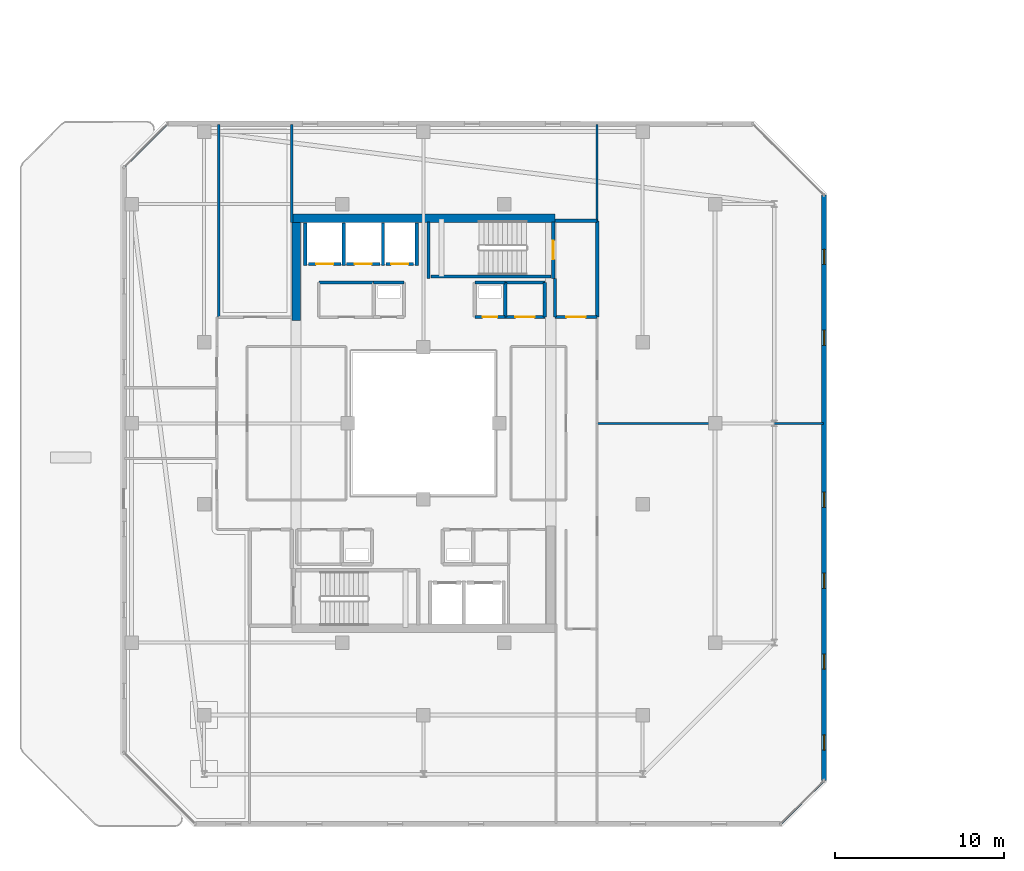
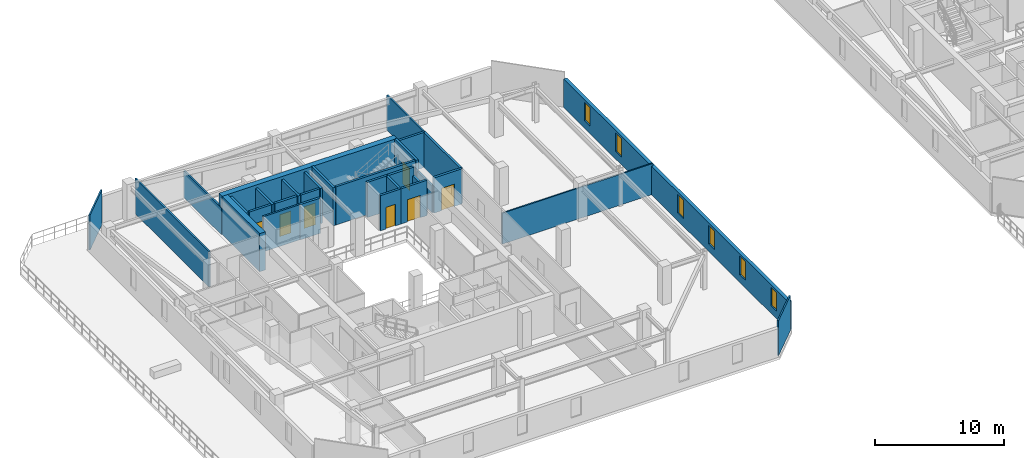
# One storey, part 20 of 31: 31 walls, 7 doors, 6 windows, 13 openings.
"""IFC4 building model written with IfcOpenShell, lengths in metres."""

from ifc_helpers import new_model, si_unit, direction, frame, frame_2d, origin, place, context, subcontext, project, spatial, rectangle, extrude, material, layer, layer_set, type_object, element, fill, save


model = new_model("IFC4")

# Units and contexts
model_context = context("Model", 3, precision=1e-05, world=origin(), true_north=direction((0.0, 1.0)))
body_context = subcontext(model_context, "Body", "Model", "MODEL_VIEW")
ifc_project = project(units=[si_unit("LENGTHUNIT", "METRE"), si_unit("AREAUNIT", "SQUARE_METRE"), si_unit("VOLUMEUNIT", "CUBIC_METRE"), si_unit("PLANEANGLEUNIT", "RADIAN"), si_unit("MASSUNIT", "GRAM", prefix="KILO")], contexts=[model_context])

# Site, building, storey
site_placement = place(None, origin())
site = spatial("IfcSite", under=ifc_project, at=site_placement, CompositionType="ELEMENT")
building_placement = place(site_placement, origin())
building = spatial("IfcBuilding", under=site, at=building_placement, Name="Thornwick Lancets Civic Towers", CompositionType="ELEMENT")
storey_placement = place(building_placement, frame((0.0, 0.0, 254.699951171875)))
storey = spatial("IfcBuildingStorey", under=building, at=storey_placement, Name="L68", CompositionType="ELEMENT", Elevation=254.699951171875)

# Wall, opening, door
ifc_material_1 = material(Name="Concrete blockwork C40/50", Category="masonry")
ifc_layer_1 = layer(ifc_material_1, 0.199951171875, Name="Concrete blockwork C40/50")
ifc_layer_set_1 = layer_set([ifc_layer_1], Name="Concrete blockwork C40/50")
wall_type_1 = type_object("IfcWallType", Name="WALL_COMP_200", PredefinedType="STANDARD", material=ifc_layer_set_1)
wall_1_placement = place(storey_placement, frame((24.919921875, 36.449951171875, 0.0), z_axis=(0.0, 0.0, 1.0), x_axis=(-1.0, 0.0, 0.0)))
wall_1 = element("IfcWall", 1, at=wall_1_placement, inside=storey, type_object=wall_type_1, Name="L68 Hoistway Front Wall FL-A2", PredefinedType="STANDARD", context=body_context, shape_type="SweptSolid", body=[
    extrude(rectangle(XDim=1.639892578125, YDim=0.199951171875, at=frame_2d((0.81982421875, 0.0))), origin(), (0.0, 0.0, 1.0), 3.320068359375),
])
opening_1_placement = place(wall_1_placement, frame((0.31005859375, 0.0, 0.0)))
opening_1 = element("IfcOpeningElement", 2, at=opening_1_placement, cuts=wall_1, Name="Opening LD-FL-A2", PredefinedType="OPENING", context=body_context, shape_type="SweptSolid", body=[
    extrude(rectangle(XDim=1.02001953125, YDim=2.06005859375, at=frame_2d((0.510009765625, 1.030029296875))), frame((0.0, 0.10986328125, 0.0), z_axis=(0.0, -1.0, 0.0), x_axis=(1.0, 0.0, 0.0)), (0.0, 0.0, 1.0), 0.219970703125),
])
ifc_material_2 = material(Name="Brushed bronze stainless steel", Category="steel")
door_type_1 = type_object("IfcDoorType", Name="DOOR_LIFT_SLIDE", OperationType="SLIDING_TO_LEFT", PredefinedType="DOOR", material=ifc_material_2)
door_1_placement = place(opening_1_placement, origin())
door_1 = element("IfcDoor", 3, at=door_1_placement, inside=storey, type_object=door_type_1, Name="L68 Sliding Lift Landing Door LD-FL-A2", OperationType="SLIDING_TO_LEFT", OverallHeight=2.06005859375, OverallWidth=1.02001953125, PredefinedType="DOOR", context=body_context, shape_type="SweptSolid", body=[
    extrude(rectangle(XDim=1.02001953125, YDim=2.06005859375, at=frame_2d((0.510009765625, 1.030029296875))), frame((0.0, 0.02490234375, 0.0), z_axis=(0.0, -1.0, 0.0), x_axis=(1.0, 0.0, 0.0)), (0.0, 0.0, 1.0), 0.050048828125),
])
fill(opening_1, door_1)

wall_2_placement = place(storey_placement, frame((22.919921875, 36.449951171875, 0.0), z_axis=(0.0, 0.0, 1.0), x_axis=(-1.0, 0.0, 0.0)))
wall_2 = element("IfcWall", 4, at=wall_2_placement, inside=storey, type_object=wall_type_1, Name="L68 Hoistway Front Wall PL-AH2", PredefinedType="STANDARD", context=body_context, shape_type="SweptSolid", body=[
    extrude(rectangle(XDim=1.989990234375, YDim=0.199951171875, at=frame_2d((0.9951171875, 0.0))), origin(), (0.0, 0.0, 1.0), 3.320068359375),
])
opening_2_placement = place(wall_2_placement, frame((0.485107421875, 0.0, 0.0)))
opening_2 = element("IfcOpeningElement", 5, at=opening_2_placement, cuts=wall_2, Name="Opening LD-PL-AH2", PredefinedType="OPENING", context=body_context, shape_type="SweptSolid", body=[
    extrude(rectangle(XDim=1.02001953125, YDim=2.06005859375, at=frame_2d((0.510009765625, 1.030029296875))), frame((0.0, 0.10986328125, 0.0), z_axis=(0.0, -1.0, 0.0), x_axis=(1.0, 0.0, 0.0)), (0.0, 0.0, 1.0), 0.219970703125),
])
door_2_placement = place(opening_2_placement, origin())
door_2 = element("IfcDoor", 6, at=door_2_placement, inside=storey, type_object=door_type_1, Name="L68 Sliding Lift Landing Door LD-PL-AH2", OperationType="SLIDING_TO_LEFT", OverallHeight=2.06005859375, OverallWidth=1.02001953125, PredefinedType="DOOR", context=body_context, shape_type="SweptSolid", body=[
    extrude(rectangle(XDim=1.02001953125, YDim=2.06005859375, at=frame_2d((0.510009765625, 1.030029296875))), frame((0.0, 0.02490234375, 0.0), z_axis=(0.0, -1.0, 0.0), x_axis=(1.0, 0.0, 0.0)), (0.0, 0.0, 1.0), 0.050048828125),
])
fill(opening_2, door_2)

wall_3_placement = place(storey_placement, frame((20.6201171875, 36.449951171875, 0.0), z_axis=(0.0, 0.0, 1.0), x_axis=(-1.0, 0.0, 0.0)))
wall_3 = element("IfcWall", 7, at=wall_3_placement, inside=storey, type_object=wall_type_1, Name="L68 Hoistway Front Wall PL-AH3", PredefinedType="STANDARD", context=body_context, shape_type="SweptSolid", body=[
    extrude(rectangle(XDim=1.940185546875, YDim=0.199951171875, at=frame_2d((0.97021484375, 0.0))), origin(), (0.0, 0.0, 1.0), 3.320068359375),
])
opening_3_placement = place(wall_3_placement, frame((0.4599609375, 0.0, 0.0)))
opening_3 = element("IfcOpeningElement", 8, at=opening_3_placement, cuts=wall_3, Name="Opening LD-PL-AH3", PredefinedType="OPENING", context=body_context, shape_type="SweptSolid", body=[
    extrude(rectangle(XDim=1.02001953125, YDim=2.06005859375, at=frame_2d((0.510009765625, 1.030029296875))), frame((0.0, 0.10986328125, 0.0), z_axis=(0.0, -1.0, 0.0), x_axis=(1.0, 0.0, 0.0)), (0.0, 0.0, 1.0), 0.219970703125),
])
door_3_placement = place(opening_3_placement, origin())
door_3 = element("IfcDoor", 9, at=door_3_placement, inside=storey, type_object=door_type_1, Name="L68 Sliding Lift Landing Door LD-PL-AH3", OperationType="SLIDING_TO_LEFT", OverallHeight=2.06005859375, OverallWidth=1.02001953125, PredefinedType="DOOR", context=body_context, shape_type="SweptSolid", body=[
    extrude(rectangle(XDim=1.02001953125, YDim=2.06005859375, at=frame_2d((0.510009765625, 1.030029296875))), frame((0.0, 0.02490234375, 0.0), z_axis=(0.0, -1.0, 0.0), x_axis=(1.0, 0.0, 0.0)), (0.0, 0.0, 1.0), 0.050048828125),
])
fill(opening_3, door_3)

# Walls
for number, where, z_axis, x_axis, name in (
    (10, (25.10009765625, 36.35205078125, 0.0), (0.0, 0.0, 1.0), (0.0, 1.0, 0.0), "L68 Hoistway Shaft Wall FL-A2 E"),
    (11, (23.10009765625, 36.35205078125, 0.0), (0.0, 0.0, 1.0), (0.0, 1.0, 0.0), "L68 Hoistway Shaft Wall FL-A2 W"),
    (12, (20.77490234375, 36.35205078125, 0.0), (0.0, 0.0, 1.0), (0.0, 1.0, 0.0), "L68 Hoistway Shaft Wall PL-AH2 W"),
    (13, (18.5, 36.35205078125, 0.0), (0.0, 0.0, 1.0), (0.0, 1.0, 0.0), "L68 Hoistway Shaft Wall PL-AH3 W"),
):
    element("IfcWall", number, at=place(storey_placement, frame(where, z_axis=z_axis, x_axis=x_axis)), inside=storey, type_object=wall_type_1, Name=name, PredefinedType="STANDARD", context=body_context, shape_type="SweptSolid", body=[
        extrude(rectangle(XDim=2.535888671875, YDim=0.199951171875, at=frame_2d((1.26806640625, 0.0))), origin(), (0.0, 0.0, 1.0), 3.320068359375),
    ])

# Wall, opening, door
wall_4_placement = place(storey_placement, frame((33.300048828125, 33.300048828125, 0.0), z_axis=(0.0, 0.0, 1.0), x_axis=(1.0, 0.0, 0.0)))
wall_4 = element("IfcWall", 14, at=wall_4_placement, inside=storey, type_object=wall_type_1, Name="L68 Partition L68-A-FFLOB2 E1", PredefinedType="STANDARD", context=body_context, shape_type="SweptSolid", body=[
    extrude(rectangle(XDim=2.5, YDim=0.199951171875, at=frame_2d((1.25, 0.0))), origin(), (0.0, 0.0, 1.0), 3.320068359375),
])
opening_4_placement = place(wall_4_placement, frame((0.675048828125, 0.0, 0.0)))
opening_4 = element("IfcOpeningElement", 15, at=opening_4_placement, cuts=wall_4, Name="Opening D-L68-3092", PredefinedType="OPENING", context=body_context, shape_type="SweptSolid", body=[
    extrude(rectangle(XDim=1.14990234375, YDim=2.10009765625, at=frame_2d((0.574951171875, 1.050048828125))), frame((0.0, 0.10986328125, 0.0), z_axis=(0.0, -1.0, 0.0), x_axis=(1.0, 0.0, 0.0)), (0.0, 0.0, 1.0), 0.219970703125),
])
ifc_material_3 = material(Name="Glazed fire-resisting steel", Category="steel")
door_type_2 = type_object("IfcDoorType", Name="DOOR_LOBBY_FD60", OperationType="NOTDEFINED", PredefinedType="DOOR", material=ifc_material_3)
door_4_placement = place(opening_4_placement, origin())
door_4 = element("IfcDoor", 16, at=door_4_placement, inside=storey, type_object=door_type_2, Name="L68 North Firefighting Lobby 2 Door", OperationType="SINGLE_SWING_LEFT", OverallHeight=2.10009765625, OverallWidth=1.14990234375, PredefinedType="DOOR", context=body_context, shape_type="SweptSolid", body=[
    extrude(rectangle(XDim=1.14990234375, YDim=2.10009765625, at=frame_2d((0.574951171875, 1.050048828125))), frame((0.0, 0.02490234375, 0.0), z_axis=(0.0, -1.0, 0.0), x_axis=(1.0, 0.0, 0.0)), (0.0, 0.0, 1.0), 0.050048828125),
])
fill(opening_4, door_4)

# Walls
wall_5_placement = place(storey_placement, frame((35.800048828125, 33.300048828125, 0.0), z_axis=(0.0, 0.0, 1.0), x_axis=(0.0, 1.0, 0.0)))
element("IfcWall", 17, at=wall_5_placement, inside=storey, type_object=wall_type_1, Name="L68 Partition L68-A-FFLOB2 E2", PredefinedType="STANDARD", context=body_context, shape_type="SweptSolid", body=[
    extrude(rectangle(XDim=5.699951171875, YDim=0.199951171875, at=frame_2d((2.85009765625, 0.0))), origin(), (0.0, 0.0, 1.0), 3.320068359375),
])
wall_6_placement = place(storey_placement, frame((35.800048828125, 39.0, 0.0), z_axis=(0.0, 0.0, 1.0), x_axis=(-1.0, 0.0, 0.0)))
element("IfcWall", 18, at=wall_6_placement, inside=storey, type_object=wall_type_1, Name="L68 Partition L68-A-FFLOB2 E3", PredefinedType="STANDARD", context=body_context, shape_type="SweptSolid", body=[
    extrude(rectangle(XDim=2.5, YDim=0.199951171875, at=frame_2d((1.25, 0.0))), origin(), (0.0, 0.0, 1.0), 3.320068359375),
])
wall_7_placement = place(storey_placement, frame((33.300048828125, 35.60009765625, 0.0), z_axis=(0.0, 0.0, 1.0), x_axis=(0.0, -1.0, 0.0)))
element("IfcWall", 19, at=wall_7_placement, inside=storey, type_object=wall_type_1, Name="L68 Partition L68-A-FFLOB2 E4", PredefinedType="STANDARD", context=body_context, shape_type="SweptSolid", body=[
    extrude(rectangle(XDim=2.300048828125, YDim=0.199951171875, at=frame_2d((1.14990234375, 0.0))), origin(), (0.0, 0.0, 1.0), 2.525146484375),
])
wall_8_placement = place(storey_placement, frame((24.35009765625, 35.35009765625, 0.0), z_axis=(0.0, 0.0, 1.0), x_axis=(-1.0, 0.0, 0.0)))
element("IfcWall", 20, at=wall_8_placement, inside=storey, type_object=wall_type_1, Name="L68 Partition L68-A-DUCT2 E3", PredefinedType="STANDARD", context=body_context, shape_type="SweptSolid", body=[
    extrude(rectangle(XDim=1.800048828125, YDim=0.199951171875, at=frame_2d((0.89990234375, 0.0))), origin(), (0.0, 0.0, 1.0), 3.320068359375),
])

# Wall, opening, door
wall_9_placement = place(storey_placement, frame((28.550048828125, 33.300048828125, 0.0), z_axis=(0.0, 0.0, 1.0), x_axis=(1.0, 0.0, 0.0)))
wall_9 = element("IfcWall", 21, at=wall_9_placement, inside=storey, type_object=wall_type_1, Name="L68 Partition L68-A-RISER2 E1", PredefinedType="STANDARD", context=body_context, shape_type="SweptSolid", body=[
    extrude(rectangle(XDim=1.800048828125, YDim=0.199951171875, at=frame_2d((0.89990234375, 0.0))), origin(), (0.0, 0.0, 1.0), 3.320068359375),
])
opening_5_placement = place(wall_9_placement, frame((0.4599609375, 0.0, 0.0)))
opening_5 = element("IfcOpeningElement", 22, at=opening_5_placement, cuts=wall_9, Name="Opening D-L68-3096", PredefinedType="OPENING", context=body_context, shape_type="SweptSolid", body=[
    extrude(rectangle(XDim=0.8798828125, YDim=2.0400390625, at=frame_2d((0.43994140625, 1.02001953125))), frame((0.0, 0.10986328125, 0.0), z_axis=(0.0, -1.0, 0.0), x_axis=(1.0, 0.0, 0.0)), (0.0, 0.0, 1.0), 0.219970703125),
])
ifc_material_4 = material(Name="Steel riser access doorset", Category="steel")
door_type_3 = type_object("IfcDoorType", Name="DOOR_RISER_850", OperationType="NOTDEFINED", PredefinedType="DOOR", material=ifc_material_4)
door_5_placement = place(opening_5_placement, origin())
door_5 = element("IfcDoor", 23, at=door_5_placement, inside=storey, type_object=door_type_3, Name="L68 North Service Riser 2 Door", OperationType="SINGLE_SWING_LEFT", OverallHeight=2.0400390625, OverallWidth=0.8798828125, PredefinedType="DOOR", context=body_context, shape_type="SweptSolid", body=[
    extrude(rectangle(XDim=0.8798828125, YDim=2.0400390625, at=frame_2d((0.43994140625, 1.02001953125))), frame((0.0, 0.02490234375, 0.0), z_axis=(0.0, -1.0, 0.0), x_axis=(1.0, 0.0, 0.0)), (0.0, 0.0, 1.0), 0.050048828125),
])
fill(opening_5, door_5)

# Walls
wall_10_placement = place(storey_placement, frame((30.35009765625, 33.300048828125, 0.0), z_axis=(0.0, 0.0, 1.0), x_axis=(0.0, 1.0, 0.0)))
element("IfcWall", 24, at=wall_10_placement, inside=storey, type_object=wall_type_1, Name="L68 Partition L68-A-RISER2 E2", PredefinedType="STANDARD", context=body_context, shape_type="SweptSolid", body=[
    extrude(rectangle(XDim=2.050048828125, YDim=0.199951171875, at=frame_2d((1.02490234375, 0.0))), origin(), (0.0, 0.0, 1.0), 3.320068359375),
])
wall_11_placement = place(storey_placement, frame((30.35009765625, 35.35009765625, 0.0), z_axis=(0.0, 0.0, 1.0), x_axis=(-1.0, 0.0, 0.0)))
element("IfcWall", 25, at=wall_11_placement, inside=storey, type_object=wall_type_1, Name="L68 Partition L68-A-RISER2 E3", PredefinedType="STANDARD", context=body_context, shape_type="SweptSolid", body=[
    extrude(rectangle(XDim=1.800048828125, YDim=0.199951171875, at=frame_2d((0.89990234375, 0.0))), origin(), (0.0, 0.0, 1.0), 3.320068359375),
])
wall_12_placement = place(storey_placement, frame((32.699951171875, 35.35009765625, 0.0), z_axis=(0.0, 0.0, 1.0), x_axis=(0.0, -1.0, 0.0)))
element("IfcWall", 26, at=wall_12_placement, inside=storey, type_object=wall_type_1, Name="L68 Partition L68-A-STR E1", PredefinedType="STANDARD", context=body_context, shape_type="SweptSolid", body=[
    extrude(rectangle(XDim=2.050048828125, YDim=0.199951171875, at=frame_2d((1.02490234375, 0.0))), origin(), (0.0, 0.0, 1.0), 2.525146484375),
])

# Wall, opening, door
wall_13_placement = place(storey_placement, frame((32.699951171875, 33.300048828125, 0.0), z_axis=(0.0, 0.0, 1.0), x_axis=(-1.0, 0.0, 0.0)))
wall_13 = element("IfcWall", 27, at=wall_13_placement, inside=storey, type_object=wall_type_1, Name="L68 Partition L68-A-STR E2", PredefinedType="STANDARD", context=body_context, shape_type="SweptSolid", body=[
    extrude(rectangle(XDim=2.349853515625, YDim=0.199951171875, at=frame_2d((1.1748046875, 0.0))), origin(), (0.0, 0.0, 1.0), 3.320068359375),
])
opening_6_placement = place(wall_13_placement, frame((0.60009765625, 0.0, 0.0)))
opening_6 = element("IfcOpeningElement", 28, at=opening_6_placement, cuts=wall_13, Name="Opening D-L68-3101", PredefinedType="OPENING", context=body_context, shape_type="SweptSolid", body=[
    extrude(rectangle(XDim=1.14990234375, YDim=2.10009765625, at=frame_2d((0.574951171875, 1.050048828125))), frame((0.0, 0.10986328125, 0.0), z_axis=(0.0, -1.0, 0.0), x_axis=(1.0, 0.0, 0.0)), (0.0, 0.0, 1.0), 0.219970703125),
])
door_6_placement = place(opening_6_placement, origin())
door_6 = element("IfcDoor", 29, at=door_6_placement, inside=storey, type_object=door_type_2, Name="L68 Tower A Core Equipment Store Door", OperationType="SINGLE_SWING_RIGHT", OverallHeight=2.10009765625, OverallWidth=1.14990234375, PredefinedType="DOOR", context=body_context, shape_type="SweptSolid", body=[
    extrude(rectangle(XDim=1.14990234375, YDim=2.10009765625, at=frame_2d((0.574951171875, 1.050048828125))), frame((0.0, 0.02490234375, 0.0), z_axis=(0.0, -1.0, 0.0), x_axis=(1.0, 0.0, 0.0)), (0.0, 0.0, 1.0), 0.050048828125),
])
fill(opening_6, door_6)

# Walls
wall_14_placement = place(storey_placement, frame((30.35009765625, 35.35009765625, 0.0), z_axis=(0.0, 0.0, 1.0), x_axis=(1.0, 0.0, 0.0)))
element("IfcWall", 30, at=wall_14_placement, inside=storey, type_object=wall_type_1, Name="L68 Partition L68-A-STR E4", PredefinedType="STANDARD", context=body_context, shape_type="SweptSolid", body=[
    extrude(rectangle(XDim=2.349853515625, YDim=0.199951171875, at=frame_2d((1.1748046875, 0.0))), origin(), (0.0, 0.0, 1.0), 3.320068359375),
])
ifc_material_5 = material(Name="Concrete C50/60", Category="concrete")
ifc_layer_2 = layer(ifc_material_5, 0.5, Name="Concrete C50/60")
ifc_layer_set_2 = layer_set([ifc_layer_2], Name="Concrete C50/60")
wall_type_2 = type_object("IfcWallType", Name="WALL_CORE_500", PredefinedType="SHEAR", material=ifc_layer_set_2)
wall_15_placement = place(storey_placement, frame((17.699951171875, 39.14990234375, 0.0), z_axis=(0.0, 0.0, 1.0), x_axis=(1.0, 0.0, 0.0)))
element("IfcWall", 31, at=wall_15_placement, inside=storey, type_object=wall_type_2, Name="L68 Split Core A2 Shear Wall N", PredefinedType="SHEAR", context=body_context, shape_type="SweptSolid", body=[
    extrude(rectangle(XDim=15.60009765625, YDim=0.5, at=frame_2d((7.800048828125, 0.0))), origin(), (0.0, 0.0, 1.0), 3.60009765625),
])
wall_16_placement = place(storey_placement, frame((17.949951171875, 33.10009765625, 0.0), z_axis=(0.0, 0.0, 1.0), x_axis=(0.0, 1.0, 0.0)))
element("IfcWall", 32, at=wall_16_placement, inside=storey, type_object=wall_type_2, Name="L68 Split Core A2 Shear Wall W", PredefinedType="SHEAR", context=body_context, shape_type="SweptSolid", body=[
    extrude(rectangle(XDim=5.7998046875, YDim=0.5, at=frame_2d((2.89990234375, 0.0))), origin(), (0.0, 0.0, 1.0), 3.60009765625),
])

# Wall, openings, windows
ifc_material_6 = material(Name="Insulated russet terracotta rainscreen on concrete C40/50", Category="masonry")
ifc_layer_3 = layer(ifc_material_6, 0.300048828125, Name="Insulated russet terracotta rainscreen on concrete C40/50")
ifc_layer_set_3 = layer_set([ifc_layer_3], Name="Insulated russet terracotta rainscreen on concrete C40/50")
wall_type_3 = type_object("IfcWallType", Name="WALL_EXT_RUSSET_300", PredefinedType="STANDARD", material=ifc_layer_set_3)
wall_17_placement = place(storey_placement, frame((49.2646484375, 5.818603515625, 0.0), z_axis=(0.0, 0.0, 1.0), x_axis=(-0.000154754115, 0.999999988026, 0.0)))
wall_17 = element("IfcWall", 33, at=wall_17_placement, inside=storey, type_object=wall_type_3, Name="L68 Tower A Terracotta Facade Wall E2", PredefinedType="STANDARD", context=body_context, shape_type="SweptSolid", body=[
    extrude(rectangle(XDim=34.707275390625, YDim=0.300048828125, at=frame_2d((17.353515625, 0.0))), origin(), (0.0, 0.0, 1.0), 2.699951171875),
])
opening_7_placement = place(wall_17_placement, frame((1.800048828125, 0.0, 0.719970703125)))
opening_7 = element("IfcOpeningElement", 34, at=opening_7_placement, cuts=wall_17, Name="Opening WL-01", PredefinedType="OPENING", context=body_context, shape_type="SweptSolid", body=[
    extrude(rectangle(XDim=0.89990234375, YDim=1.75, at=frame_2d((0.449951171875, 0.875))), frame((0.0, 0.16015625, 0.0), z_axis=(0.0, -1.0, 0.0), x_axis=(1.0, 0.0, 0.0)), (0.0, 0.0, 1.0), 0.320068359375),
])
opening_8_placement = place(wall_17_placement, frame((6.60009765625, 0.0, 0.719970703125)))
opening_8 = element("IfcOpeningElement", 35, at=opening_8_placement, cuts=wall_17, Name="Opening WL-01", PredefinedType="OPENING", context=body_context, shape_type="SweptSolid", body=[
    extrude(rectangle(XDim=0.89990234375, YDim=1.75, at=frame_2d((0.449951171875, 0.875))), frame((0.0, 0.16015625, 0.0), z_axis=(0.0, -1.0, 0.0), x_axis=(1.0, 0.0, 0.0)), (0.0, 0.0, 1.0), 0.320068359375),
])
opening_9_placement = place(wall_17_placement, frame((11.39990234375, 0.0, 0.719970703125)))
opening_9 = element("IfcOpeningElement", 36, at=opening_9_placement, cuts=wall_17, Name="Opening WL-01", PredefinedType="OPENING", context=body_context, shape_type="SweptSolid", body=[
    extrude(rectangle(XDim=0.89990234375, YDim=1.75, at=frame_2d((0.449951171875, 0.875))), frame((0.0, 0.16015625, 0.0), z_axis=(0.0, -1.0, 0.0), x_axis=(1.0, 0.0, 0.0)), (0.0, 0.0, 1.0), 0.320068359375),
])
opening_10_placement = place(wall_17_placement, frame((16.199951171875, 0.0, 0.719970703125)))
opening_10 = element("IfcOpeningElement", 37, at=opening_10_placement, cuts=wall_17, Name="Opening WL-01", PredefinedType="OPENING", context=body_context, shape_type="SweptSolid", body=[
    extrude(rectangle(XDim=0.89990234375, YDim=1.75, at=frame_2d((0.449951171875, 0.875))), frame((0.0, 0.16015625, 0.0), z_axis=(0.0, -1.0, 0.0), x_axis=(1.0, 0.0, 0.0)), (0.0, 0.0, 1.0), 0.320068359375),
])
opening_11_placement = place(wall_17_placement, frame((25.800048828125, 0.0, 0.719970703125)))
opening_11 = element("IfcOpeningElement", 38, at=opening_11_placement, cuts=wall_17, Name="Opening WL-01", PredefinedType="OPENING", context=body_context, shape_type="SweptSolid", body=[
    extrude(rectangle(XDim=0.89990234375, YDim=1.75, at=frame_2d((0.449951171875, 0.875))), frame((0.0, 0.16015625, 0.0), z_axis=(0.0, -1.0, 0.0), x_axis=(1.0, 0.0, 0.0)), (0.0, 0.0, 1.0), 0.320068359375),
])
opening_12_placement = place(wall_17_placement, frame((30.60009765625, 0.0, 0.719970703125)))
opening_12 = element("IfcOpeningElement", 39, at=opening_12_placement, cuts=wall_17, Name="Opening WL-01", PredefinedType="OPENING", context=body_context, shape_type="SweptSolid", body=[
    extrude(rectangle(XDim=0.89990234375, YDim=1.75, at=frame_2d((0.449951171875, 0.875))), frame((0.0, 0.16015625, 0.0), z_axis=(0.0, -1.0, 0.0), x_axis=(1.0, 0.0, 0.0)), (0.0, 0.0, 1.0), 0.320068359375),
])
ifc_material_7 = material(Name="Clear low-e double glazing in bronze frame", Category="glass")
window_type = type_object("IfcWindowType", Name="WIN_LANCET_900", PartitioningType="SINGLE_PANEL", PredefinedType="WINDOW", material=ifc_material_7)
window_1_placement = place(opening_7_placement, origin())
window_1 = element("IfcWindow", 40, at=window_1_placement, inside=storey, type_object=window_type, Name="L68 Tower A Staggered Lancet Window E2-1", OverallHeight=1.75, OverallWidth=0.89990234375, PartitioningType="SINGLE_PANEL", PredefinedType="WINDOW", context=body_context, shape_type="SweptSolid", body=[
    extrude(rectangle(XDim=0.89990234375, YDim=1.75, at=frame_2d((0.449951171875, 0.875))), frame((0.0, 0.030029296875, 0.0), z_axis=(0.0, -1.0, 0.0), x_axis=(1.0, 0.0, 0.0)), (0.0, 0.0, 1.0), 0.06005859375),
])
fill(opening_7, window_1)
window_2_placement = place(opening_8_placement, origin())
window_2 = element("IfcWindow", 41, at=window_2_placement, inside=storey, type_object=window_type, Name="L68 Tower A Staggered Lancet Window E2-2", OverallHeight=1.75, OverallWidth=0.89990234375, PartitioningType="SINGLE_PANEL", PredefinedType="WINDOW", context=body_context, shape_type="SweptSolid", body=[
    extrude(rectangle(XDim=0.89990234375, YDim=1.75, at=frame_2d((0.449951171875, 0.875))), frame((0.0, 0.030029296875, 0.0), z_axis=(0.0, -1.0, 0.0), x_axis=(1.0, 0.0, 0.0)), (0.0, 0.0, 1.0), 0.06005859375),
])
fill(opening_8, window_2)
window_3_placement = place(opening_9_placement, origin())
window_3 = element("IfcWindow", 42, at=window_3_placement, inside=storey, type_object=window_type, Name="L68 Tower A Staggered Lancet Window E2-3", OverallHeight=1.75, OverallWidth=0.89990234375, PartitioningType="SINGLE_PANEL", PredefinedType="WINDOW", context=body_context, shape_type="SweptSolid", body=[
    extrude(rectangle(XDim=0.89990234375, YDim=1.75, at=frame_2d((0.449951171875, 0.875))), frame((0.0, 0.030029296875, 0.0), z_axis=(0.0, -1.0, 0.0), x_axis=(1.0, 0.0, 0.0)), (0.0, 0.0, 1.0), 0.06005859375),
])
fill(opening_9, window_3)
window_4_placement = place(opening_10_placement, origin())
window_4 = element("IfcWindow", 43, at=window_4_placement, inside=storey, type_object=window_type, Name="L68 Tower A Staggered Lancet Window E2-4", OverallHeight=1.75, OverallWidth=0.89990234375, PartitioningType="SINGLE_PANEL", PredefinedType="WINDOW", context=body_context, shape_type="SweptSolid", body=[
    extrude(rectangle(XDim=0.89990234375, YDim=1.75, at=frame_2d((0.449951171875, 0.875))), frame((0.0, 0.030029296875, 0.0), z_axis=(0.0, -1.0, 0.0), x_axis=(1.0, 0.0, 0.0)), (0.0, 0.0, 1.0), 0.06005859375),
])
fill(opening_10, window_4)
window_5_placement = place(opening_11_placement, origin())
window_5 = element("IfcWindow", 44, at=window_5_placement, inside=storey, type_object=window_type, Name="L68 Tower A Staggered Lancet Window E2-5", OverallHeight=1.75, OverallWidth=0.89990234375, PartitioningType="SINGLE_PANEL", PredefinedType="WINDOW", context=body_context, shape_type="SweptSolid", body=[
    extrude(rectangle(XDim=0.89990234375, YDim=1.75, at=frame_2d((0.449951171875, 0.875))), frame((0.0, 0.030029296875, 0.0), z_axis=(0.0, -1.0, 0.0), x_axis=(1.0, 0.0, 0.0)), (0.0, 0.0, 1.0), 0.06005859375),
])
fill(opening_11, window_5)
window_6_placement = place(opening_12_placement, origin())
window_6 = element("IfcWindow", 45, at=window_6_placement, inside=storey, type_object=window_type, Name="L68 Tower A Staggered Lancet Window E2-6", OverallHeight=1.75, OverallWidth=0.89990234375, PartitioningType="SINGLE_PANEL", PredefinedType="WINDOW", context=body_context, shape_type="SweptSolid", body=[
    extrude(rectangle(XDim=0.89990234375, YDim=1.75, at=frame_2d((0.449951171875, 0.875))), frame((0.0, 0.030029296875, 0.0), z_axis=(0.0, -1.0, 0.0), x_axis=(1.0, 0.0, 0.0)), (0.0, 0.0, 1.0), 0.06005859375),
])
fill(opening_12, window_6)

# Walls
ifc_material_8 = material(Name="Acoustic gypsum board partition")
ifc_layer_4 = layer(ifc_material_8, 0.1201171875, Name="Acoustic gypsum board partition")
ifc_layer_set_4 = layer_set([ifc_layer_4], Name="Acoustic gypsum board partition")
wall_type_4 = type_object("IfcWallType", Name="WALL_PART_120", PredefinedType="PARTITIONING", material=ifc_layer_set_4)
wall_18_placement = place(storey_placement, frame((7.780029296875, 42.225341796875, 0.0), z_axis=(0.0, 0.0, 1.0), x_axis=(0.707106781187, 0.707106781187, 0.0)))
element("IfcWall", 46, at=wall_18_placement, inside=storey, type_object=wall_type_4, Name="L68 Partition L68-A-W2B E2", PredefinedType="PARTITIONING", context=body_context, shape_type="SweptSolid", body=[
    extrude(rectangle(XDim=3.52783203125, YDim=0.1201171875, at=frame_2d((1.763916015625, 0.0))), origin(), (0.0, 0.0, 1.0), 3.320068359375),
])
wall_19_placement = place(storey_placement, frame((35.800048828125, 27.0, 0.0), z_axis=(0.0, 0.0, 1.0), x_axis=(1.0, 0.0, 0.0)))
element("IfcWall", 47, at=wall_19_placement, inside=storey, type_object=wall_type_4, Name="L68 Partition L68-A-E1 E4", PredefinedType="PARTITIONING", context=body_context, shape_type="SweptSolid", body=[
    extrude(rectangle(XDim=13.419921875, YDim=0.1201171875, at=frame_2d((6.7099609375, 0.0))), origin(), (0.0, 0.0, 1.0), 2.912353515625),
])
wall_20_placement = place(storey_placement, frame((49.219970703125, 5.774658203125, 0.0), z_axis=(0.0, 0.0, 1.0), x_axis=(-0.707106781187, -0.707106781187, 0.0)))
element("IfcWall", 48, at=wall_20_placement, inside=storey, type_object=wall_type_4, Name="L68 Partition L68-A-E1 E6", PredefinedType="PARTITIONING", context=body_context, shape_type="SweptSolid", body=[
    extrude(rectangle(XDim=3.52783203125, YDim=0.1201171875, at=frame_2d((1.763916015625, 0.0))), origin(), (0.0, 0.0, 1.0), 3.320068359375),
])
wall_21_placement = place(storey_placement, frame((35.800048828125, 39.0, 0.0), z_axis=(0.0, 0.0, 1.0), x_axis=(0.0, 1.0, 0.0)))
element("IfcWall", 49, at=wall_21_placement, inside=storey, type_object=wall_type_4, Name="L68 Partition L68-A-E2 E2", PredefinedType="PARTITIONING", context=body_context, shape_type="SweptSolid", body=[
    extrude(rectangle(XDim=5.719970703125, YDim=0.1201171875, at=frame_2d((2.85986328125, 0.0))), origin(), (0.0, 0.0, 1.0), 3.320068359375),
])
ifc_material_9 = material(Name="Twin-stud acoustic gypsum board")
ifc_layer_5 = layer(ifc_material_9, 0.14990234375, Name="Twin-stud acoustic gypsum board")
ifc_layer_set_5 = layer_set([ifc_layer_5], Name="Twin-stud acoustic gypsum board")
wall_type_5 = type_object("IfcWallType", Name="WALL_PART_150", PredefinedType="PARTITIONING", material=ifc_layer_set_5)
wall_22_placement = place(storey_placement, frame((19.300048828125, 35.35009765625, 0.0), z_axis=(0.0, 0.0, 1.0), x_axis=(1.0, 0.0, 0.0)))
element("IfcWall", 50, at=wall_22_placement, inside=storey, type_object=wall_type_5, Name="L68 Partition L68-A-FWC E2", PredefinedType="PARTITIONING", context=body_context, shape_type="SweptSolid", body=[
    extrude(rectangle(XDim=3.25, YDim=0.14990234375, at=frame_2d((1.625, 0.0))), origin(), (0.0, 0.0, 1.0), 3.320068359375),
])
wall_23_placement = place(storey_placement, frame((13.35009765625, 33.300048828125, 0.0), z_axis=(0.0, 0.0, 1.0), x_axis=(0.0, 1.0, 0.0)))
element("IfcWall", 51, at=wall_23_placement, inside=storey, type_object=wall_type_5, Name="L68 Partition L68-A-RECLAIM-M1 E1", PredefinedType="PARTITIONING", context=body_context, shape_type="SweptSolid", body=[
    extrude(rectangle(XDim=11.419921875, YDim=0.14990234375, at=frame_2d((5.7099609375, 0.0))), origin(), (0.0, 0.0, 1.0), 3.320068359375),
])
wall_24_placement = place(storey_placement, frame((17.699951171875, 44.719970703125, 0.0), z_axis=(0.0, 0.0, 1.0), x_axis=(0.0, -1.0, 0.0)))
element("IfcWall", 52, at=wall_24_placement, inside=storey, type_object=wall_type_5, Name="L68 Partition L68-A-RECLAIM-M1 E3", PredefinedType="PARTITIONING", context=body_context, shape_type="SweptSolid", body=[
    extrude(rectangle(XDim=5.820068359375, YDim=0.14990234375, at=frame_2d((2.91015625, 0.0))), origin(), (0.0, 0.0, 1.0), 2.525146484375),
])

# Wall, opening, door
ifc_material_10 = material(Name="Concrete C40/50", Category="concrete")
ifc_layer_6 = layer(ifc_material_10, 0.199951171875, Name="Concrete C40/50")
ifc_layer_set_6 = layer_set([ifc_layer_6], Name="Concrete C40/50")
wall_type_6 = type_object("IfcWallType", Name="WALL_SHAFT_200", PredefinedType="SHEAR", material=ifc_layer_set_6)
wall_25_placement = place(storey_placement, frame((33.199951171875, 38.949951171875, 0.0), z_axis=(0.0, 0.0, 1.0), x_axis=(0.0, -1.0, 0.0)))
wall_25 = element("IfcWall", 53, at=wall_25_placement, inside=storey, type_object=wall_type_6, Name="L68 ST-A2 Fire Stair Core Wall NEAR", PredefinedType="SHEAR", context=body_context, shape_type="SweptSolid", body=[
    extrude(rectangle(XDim=3.349853515625, YDim=0.199951171875, at=frame_2d((1.6748046875, 0.0))), origin(), (0.0, 0.0, 1.0), 3.60009765625),
])
opening_13_placement = place(wall_25_placement, frame((1.125, 0.0, 0.0)))
opening_13 = element("IfcOpeningElement", 54, at=opening_13_placement, cuts=wall_25, Name="Opening D-ST-A2-L68", PredefinedType="OPENING", context=body_context, shape_type="SweptSolid", body=[
    extrude(rectangle(XDim=1.10009765625, YDim=2.10009765625, at=frame_2d((0.550048828125, 1.050048828125))), frame((0.0, 0.10986328125, 0.0), z_axis=(0.0, -1.0, 0.0), x_axis=(1.0, 0.0, 0.0)), (0.0, 0.0, 1.0), 0.219970703125),
])
ifc_material_11 = material(Name="Fire-resisting steel and hardwood", Category="steel")
door_type_4 = type_object("IfcDoorType", Name="DOOR_STAIR_FD60", OperationType="NOTDEFINED", PredefinedType="DOOR", material=ifc_material_11)
door_7_placement = place(opening_13_placement, origin())
door_7 = element("IfcDoor", 55, at=door_7_placement, inside=storey, type_object=door_type_4, Name="L68 ST-A2 Exit Stair Door", OperationType="SINGLE_SWING_LEFT", OverallHeight=2.10009765625, OverallWidth=1.10009765625, PredefinedType="DOOR", context=body_context, shape_type="SweptSolid", body=[
    extrude(rectangle(XDim=1.10009765625, YDim=2.10009765625, at=frame_2d((0.550048828125, 1.050048828125))), frame((0.0, 0.02490234375, 0.0), z_axis=(0.0, -1.0, 0.0), x_axis=(1.0, 0.0, 0.0)), (0.0, 0.0, 1.0), 0.050048828125),
])
fill(opening_13, door_7)

# Walls
wall_26_placement = place(storey_placement, frame((25.800048828125, 35.60009765625, 0.0), z_axis=(0.0, 0.0, 1.0), x_axis=(0.0, 1.0, 0.0)))
element("IfcWall", 56, at=wall_26_placement, inside=storey, type_object=wall_type_6, Name="L68 ST-A2 Fire Stair Core Wall FAR", PredefinedType="SHEAR", context=body_context, shape_type="SweptSolid", body=[
    extrude(rectangle(XDim=3.349853515625, YDim=0.199951171875, at=frame_2d((1.6748046875, 0.0))), origin(), (0.0, 0.0, 1.0), 3.60009765625),
])
wall_27_placement = place(storey_placement, frame((25.949951171875, 35.702880859375, 0.0), z_axis=(0.0, 0.0, 1.0), x_axis=(1.0, 0.0, 0.0)))
element("IfcWall", 57, at=wall_27_placement, inside=storey, type_object=wall_type_6, Name="L68 ST-A2 Fire Stair Core Wall RIGHT", PredefinedType="SHEAR", context=body_context, shape_type="SweptSolid", body=[
    extrude(rectangle(XDim=7.10009765625, YDim=0.199951171875, at=frame_2d((3.550048828125, 0.0))), origin(), (0.0, 0.0, 1.0), 3.60009765625),
])

save(model, "model.ifc")
